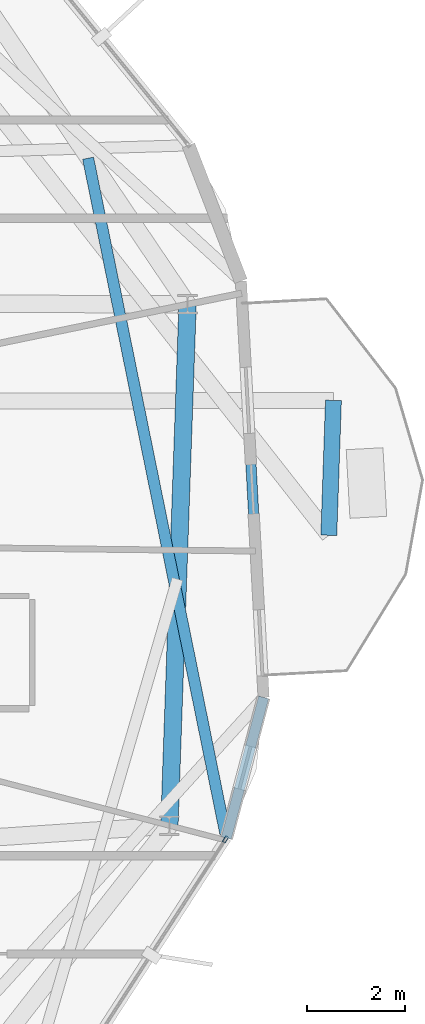
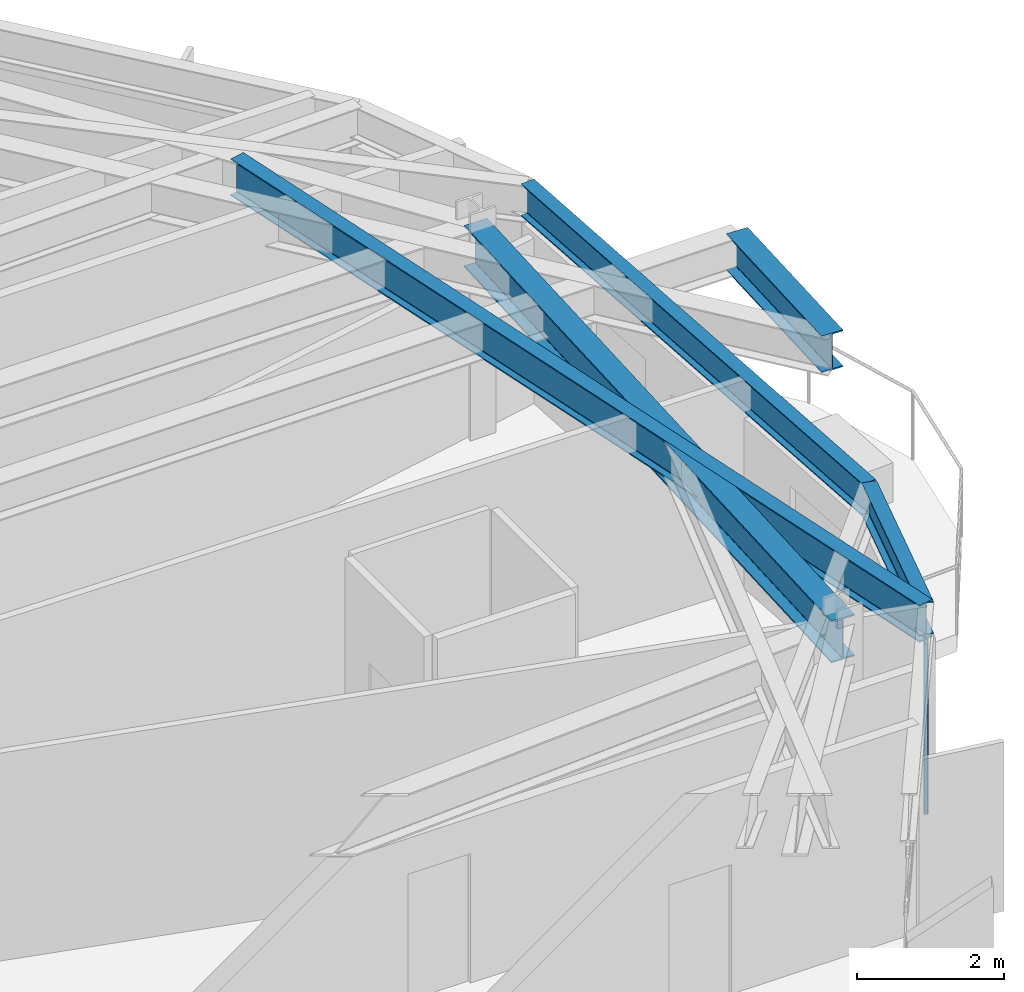
# One storey, part 14 of 26: 5 beams, 1 member, 1 element without a shape of its own.
"""IFC4 building model written with IfcOpenShell, lengths in metres."""

from ifc_helpers import new_model, si_unit, direction, frame, origin, origin_2d, place, context, subcontext, project, spatial, hollow_rectangle, i_section, extrude, material, layer, layer_set, material_profile, profile_set, type_object, element, aggregate, save


model = new_model("IFC4")

# Units and contexts
model_context = context("Model", 3, precision=1e-05, world=origin(), true_north=direction((0.0, 1.0)))
body_context = subcontext(model_context, "Body", "Model", "MODEL_VIEW")
ifc_project = project(units=[si_unit("LENGTHUNIT", "METRE"), si_unit("AREAUNIT", "SQUARE_METRE"), si_unit("VOLUMEUNIT", "CUBIC_METRE"), si_unit("PLANEANGLEUNIT", "RADIAN"), si_unit("MASSUNIT", "GRAM", prefix="KILO")], contexts=[model_context])

# Site, building, storey
site_placement = place(None, origin())
site = spatial("IfcSite", under=ifc_project, at=site_placement, CompositionType="ELEMENT")
building_placement = place(site_placement, origin())
building = spatial("IfcBuilding", under=site, at=building_placement, Name="Soratama Intermodal Tower", CompositionType="ELEMENT")
storey_placement = place(building_placement, frame((0.0, 0.0, 242.5)))
storey = spatial("IfcBuildingStorey", under=building, at=storey_placement, Name="L61", CompositionType="ELEMENT", Elevation=242.5)

# Beams
ifc_material_1 = material(Name="Structural steel ASTM A992 Grade 50", Category="steel")
ifc_material_profile_1 = material_profile(ifc_material_1, i_section(OverallWidth=0.324951171875, OverallDepth=0.615966796875, WebThickness=0.013916015625, FlangeThickness=0.021484375, FilletRadius=0.013916015625, at=origin_2d()), Name="W24X117")
ifc_profile_set_1 = profile_set([ifc_material_profile_1], Name="Structural steel ASTM A992 Grade 50")
beam_type_1 = type_object("IfcBeamType", Name="BM-CANT-W24X117", PredefinedType="BEAM", material=ifc_profile_set_1)
beam_1_placement = place(storey_placement, frame((64.4130859375, 25.033935546875, 3.14208984375), z_axis=(0.034159739749, 0.999416385787, 0.0), x_axis=(-0.999416385787, 0.034159739749, 0.0)))
element("IfcBeam", 1, at=beam_1_placement, inside=storey, type_object=beam_type_1, Name="BM-L61-CBHDR-1", PredefinedType="BEAM", context=body_context, shape_type="SweptSolid", body=[
    extrude(i_section(OverallWidth=0.324951171875, OverallDepth=0.615966796875, WebThickness=0.013916015625, FlangeThickness=0.021484375, FilletRadius=0.013916015625, at=origin_2d()), origin(), (0.0, 0.0, 1.0), 2.751708984375),
])
ifc_material_2 = material(Name="Structural steel ASTM A992 Grade 50", Category="steel")
ifc_material_profile_2 = material_profile(ifc_material_2, i_section(OverallWidth=0.35498046875, OverallDepth=0.695068359375, WebThickness=0.015380859375, FlangeThickness=0.02490234375, FilletRadius=0.01611328125, at=origin_2d()), Name="W27X146")
ifc_profile_set_2 = profile_set([ifc_material_profile_2], Name="Structural steel ASTM A992 Grade 50")
beam_type_2 = type_object("IfcBeamType", Name="BM-RING-W27X146", PredefinedType="BEAM", material=ifc_profile_set_2)
beam_2_placement = place(storey_placement, frame((61.1630859375, 19.116943359375, 3.1025390625), z_axis=(0.034885453879, 0.999391317307, 0.0), x_axis=(-0.999391317307, 0.034885453879, 0.0)))
element("IfcBeam", 2, at=beam_2_placement, inside=storey, type_object=beam_type_2, Name="BM-L61-RING-10", PredefinedType="BEAM", context=body_context, shape_type="SweptSolid", body=[
    extrude(i_section(OverallWidth=0.35498046875, OverallDepth=0.695068359375, WebThickness=0.015380859375, FlangeThickness=0.02490234375, FilletRadius=0.01611328125, at=origin_2d()), origin(), (0.0, 0.0, 1.0), 10.630615234375),
])
ifc_material_3 = material(Name="Structural steel ASTM A992 Grade 50", Category="steel")
ifc_material_profile_3 = material_profile(ifc_material_3, i_section(OverallWidth=0.2099609375, OverallDepth=0.537109375, WebThickness=0.010986328125, FlangeThickness=0.017333984375, FilletRadius=0.012939453125, at=origin_2d()), Name="W21X68")
ifc_profile_set_3 = profile_set([ifc_material_profile_3], Name="Structural steel ASTM A992 Grade 50")
beam_type_3 = type_object("IfcBeamType", Name="BM-SPN-W21X68", PredefinedType="SPANDREL", material=ifc_profile_set_3)
beam_3_placement = place(storey_placement, frame((62.322998046875, 18.863037109375, 3.181396484375), z_axis=(0.256858343333, 0.966449063045, 0.0), x_axis=(-0.966449063045, 0.256858343333, 0.0)))
element("IfcBeam", 3, at=beam_3_placement, inside=storey, type_object=beam_type_3, Name="BS-L61-CRN08", PredefinedType="SPANDREL", context=body_context, shape_type="SweptSolid", body=[
    extrude(i_section(OverallWidth=0.2099609375, OverallDepth=0.537109375, WebThickness=0.010986328125, FlangeThickness=0.017333984375, FilletRadius=0.012939453125, at=origin_2d()), origin(), (0.0, 0.0, 1.0), 2.966552734375),
])
beam_4_placement = place(storey_placement, frame((63.0849609375, 21.72998046875, 3.181396484375), z_axis=(-0.054459806888, 0.998515963535, 0.0), x_axis=(-0.998515963535, -0.054459806888, 0.0)))
element("IfcBeam", 4, at=beam_4_placement, inside=storey, type_object=beam_type_3, Name="BS-L61-F09", PredefinedType="SPANDREL", context=body_context, shape_type="SweptSolid", body=[
    extrude(i_section(OverallWidth=0.2099609375, OverallDepth=0.537109375, WebThickness=0.010986328125, FlangeThickness=0.017333984375, FilletRadius=0.012939453125, at=origin_2d()), origin(), (0.0, 0.0, 1.0), 8.499755859375),
])
ifc_material_4 = material(Name="Structural steel ASTM A992 Grade 50", Category="steel")
ifc_material_profile_4 = material_profile(ifc_material_4, i_section(OverallWidth=0.22900390625, OverallDepth=0.612060546875, WebThickness=0.011962890625, FlangeThickness=0.01953125, FilletRadius=0.012939453125, at=origin_2d()), Name="W24X84")
ifc_profile_set_4 = profile_set([ifc_material_profile_4], Name="Structural steel ASTM A992 Grade 50")
beam_type_4 = type_object("IfcBeamType", Name="BM-TIE-W24X84", PredefinedType="BEAM", material=ifc_profile_set_4)
beam_5_placement = place(storey_placement, frame((59.506103515625, 32.719970703125, 3.14404296875), z_axis=(0.199209672598, -0.979956890043, 0.0), x_axis=(0.979956890043, 0.199209672598, 0.0)))
element("IfcBeam", 5, at=beam_5_placement, inside=storey, type_object=beam_type_4, Name="BM-L61-TIE1-08", PredefinedType="BEAM", context=body_context, shape_type="SweptSolid", body=[
    extrude(i_section(OverallWidth=0.22900390625, OverallDepth=0.612060546875, WebThickness=0.011962890625, FlangeThickness=0.01953125, FilletRadius=0.012939453125, at=origin_2d()), origin(), (0.0, 0.0, 1.0), 14.140380859375),
])

# Curtain wall, member
ifc_material_5 = material(Name="Double-glazed aluminium curtain wall", Category="aluminium")
ifc_layer = layer(ifc_material_5, 0.159912109375)
ifc_layer_set = layer_set([ifc_layer], Name="Double-glazed aluminium curtain wall")
curtain_wall_type = type_object("IfcCurtainWallType", Name="CW-SYS-5", PredefinedType="NOTDEFINED", material=ifc_layer_set)
curtain_wall_placement = place(storey_placement, origin())
curtain_wall = element("IfcCurtainWall", 6, at=curtain_wall_placement, inside=storey, type_object=curtain_wall_type, Name="L61 Faceted Curtain Wall F08", PredefinedType="NOTDEFINED")
ifc_material_6 = material(Name="Anodised aluminium AA 6063-T6", Category="aluminium")
ifc_material_profile_5 = material_profile(ifc_material_6, hollow_rectangle(XDim=0.06494140625, YDim=0.139892578125, WallThickness=0.0048828125, InnerFilletRadius=0.0048828125, OuterFilletRadius=0.010009765625, at=origin_2d()), Name="CWM140X65X5")
ifc_profile_set_5 = profile_set([ifc_material_profile_5], Name="Anodised aluminium AA 6063-T6")
member_type = type_object("IfcMemberType", Name="MT-CWM-5", PredefinedType="MULLION", material=ifc_profile_set_5)
member_placement = place(storey_placement, frame((62.306640625, 18.83740234375, 0.0), z_axis=(0.0, 0.0, 1.0), x_axis=(-0.839811540954, 0.542878048627, 0.0)))
member = element("IfcMember", 7, at=member_placement, type_object=member_type, Name="CW-5 mullion 2", PredefinedType="MULLION", context=body_context, shape_type="SweptSolid", body=[
    extrude(hollow_rectangle(XDim=0.06494140625, YDim=0.139892578125, WallThickness=0.0048828125, InnerFilletRadius=0.0048828125, OuterFilletRadius=0.010009765625, at=origin_2d()), origin(), (0.0, 0.0, 1.0), 2.8291015625),
])
aggregate(curtain_wall, [member])

save(model, "model.ifc")
